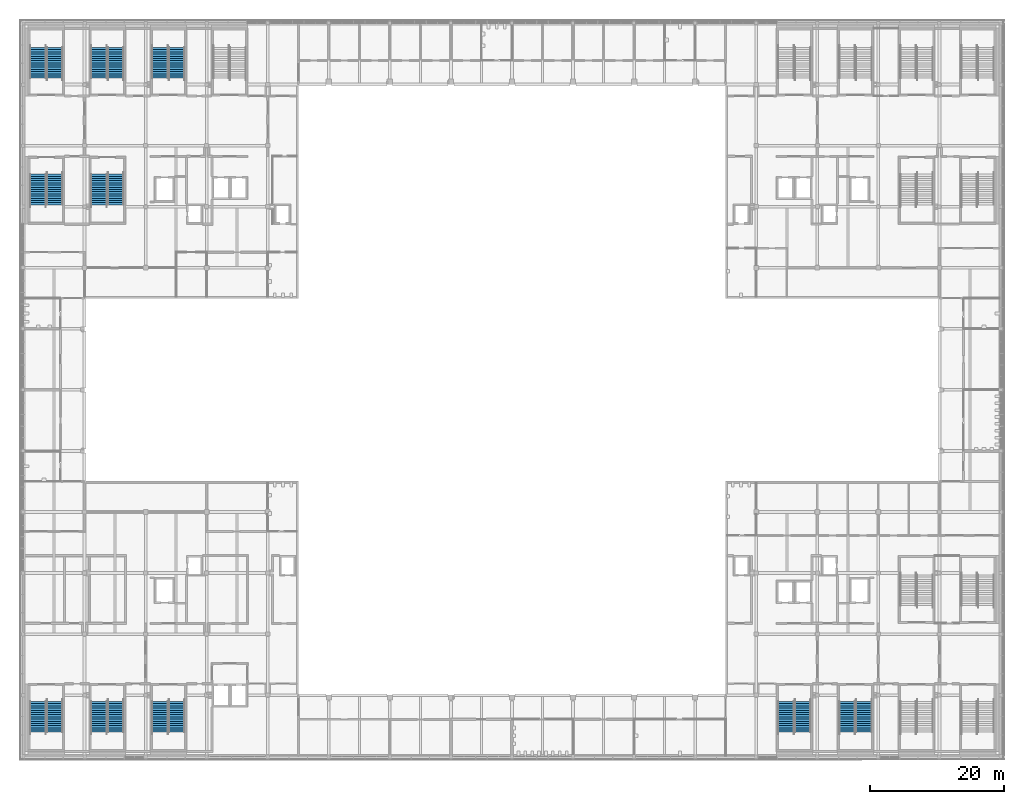
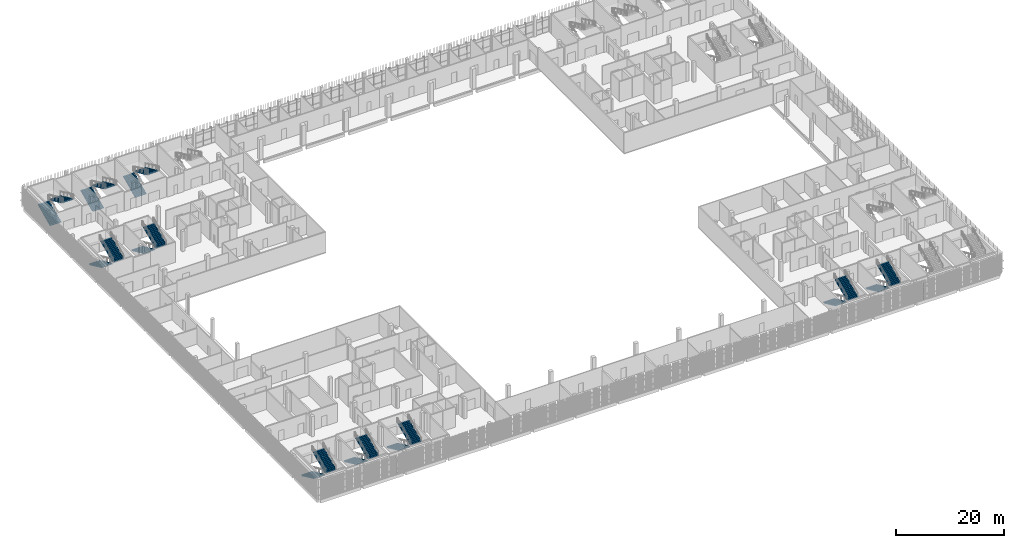
# One storey, part 83 of 124: 20 stair flights, 10 elements without a shape of their own.
"""IFC4 building model written with IfcOpenShell, lengths in metres."""

import ifcopenshell
import ifcopenshell.guid

model = None  # the IFC model being written
_history = None  # IfcOwnerHistory: only IFC2X3 demands one
_inside = {}  # id of a spatial element -> (the spatial element, [elements in it])
_under = {}  # id of a project, library or spatial element -> (it, [spatial elements below it])
_declared = {}  # id of a project -> (the project, [libraries it declares])
_typed = {}  # id of a type object -> (the type object, [elements of that type])
_made_of = {}  # id of a material, layer set ... -> (it, [elements and type objects made of it])


def new_model(schema):
    """Start an empty IFC model of exactly this schema.

    Asked for "IFC4X3", IfcOpenShell would pick the latest addendum, in which some entities
    have other attributes; the version numbers below select the first issue.
    IFC2X3 requires an IfcOwnerHistory on every rooted entity: one is made here for all.
    """
    global model, _history
    if schema == "IFC4X3":
        model = ifcopenshell.file(schema_version=(4, 3, 0, 0))
    else:
        model = ifcopenshell.file(schema=schema)
    _inside.clear()
    _under.clear()
    _declared.clear()
    _typed.clear()
    _made_of.clear()
    _history = None
    if model.schema == "IFC2X3":
        org = make("IfcOrganization", Name="unknown")
        user = make(
            "IfcPersonAndOrganization",
            ThePerson=make("IfcPerson", FamilyName="unknown"),
            TheOrganization=org,
        )
        app = make(
            "IfcApplication",
            ApplicationDeveloper=org,
            Version="unknown",
            ApplicationFullName="unknown",
            ApplicationIdentifier="unknown",
        )
        _history = make(
            "IfcOwnerHistory",
            OwningUser=user,
            OwningApplication=app,
            ChangeAction="ADDED",
            CreationDate=0,
        )
    return model


def make(cls, **values):
    """One entity of the class cls with the attributes given. An attribute that is None is left unset."""
    return model.create_entity(
        cls, **{name: value for name, value in values.items() if value is not None}
    )


def rooted(cls, **values):
    """An entity with a GlobalId (a new one), such as an element, a storey or a relation."""
    return make(cls, GlobalId=ifcopenshell.guid.new(), OwnerHistory=_history, **values)


def si_unit(unit_type, name, prefix=None):
    """IfcSIUnit, for example si_unit("LENGTHUNIT", "METRE", prefix="MILLI")."""
    return make("IfcSIUnit", UnitType=unit_type, Prefix=prefix, Name=name)


def assignment(units):
    """IfcUnitAssignment: the units of a project."""
    return None if units is None else make("IfcUnitAssignment", Units=units)


def point(xyz):
    """IfcCartesianPoint."""
    return None if xyz is None else make("IfcCartesianPoint", Coordinates=xyz)


def direction(xyz):
    """IfcDirection."""
    return None if xyz is None else make("IfcDirection", DirectionRatios=xyz)


def frame(location, z_axis=None, x_axis=None):
    """IfcAxis2Placement3D, a coordinate frame: its origin and axes. An axis left out is left unset."""
    return make(
        "IfcAxis2Placement3D",
        Location=point(location),
        Axis=direction(z_axis),
        RefDirection=direction(x_axis),
    )


def origin():
    """The frame at (0, 0, 0) with its axes left unset."""
    return frame((0.0, 0.0, 0.0))


def place(relative_to, where):
    """IfcLocalPlacement: puts the frame where relative to a parent placement (None: the world)."""
    return make(
        "IfcLocalPlacement", PlacementRelTo=relative_to, RelativePlacement=where
    )


def context(
    kind, dimensions, precision=None, world=None, true_north=None, identifier=None
):
    """IfcGeometricRepresentationContext, for example the 3D "Model" context."""
    return make(
        "IfcGeometricRepresentationContext",
        ContextIdentifier=identifier,
        ContextType=kind,
        CoordinateSpaceDimension=dimensions,
        Precision=precision,
        WorldCoordinateSystem=world,
        TrueNorth=true_north,
    )


def subcontext(parent, identifier, kind, view, scale=None):
    """IfcGeometricRepresentationSubContext, for example "Body" below "Model"."""
    return make(
        "IfcGeometricRepresentationSubContext",
        ContextIdentifier=identifier,
        ContextType=kind,
        ParentContext=parent,
        TargetScale=scale,
        TargetView=view,
    )


def project(units=None, contexts=None):
    """IfcProject with its units and contexts."""
    return rooted(
        "IfcProject",
        Name="project",
        RepresentationContexts=contexts,
        UnitsInContext=assignment(units),
    )


def spatial(cls, under=None, at=None, **own):
    """A site, building, storey or space (cls), placed at a placement, below another one or the project."""
    s = rooted(cls, ObjectPlacement=at, **own)
    if under is not None:
        _under.setdefault(under.id(), (under, []))[1].append(s)
    return s


def polyline(points):
    """IfcPolyline through the points."""
    return make("IfcPolyline", Points=[point(p) for p in points])


def outline(outer, holes=None, kind="AREA"):
    """IfcArbitraryClosedProfileDef: a profile drawn as a closed curve; with holes, ...WithVoids."""
    if holes is None:
        return make("IfcArbitraryClosedProfileDef", ProfileType=kind, OuterCurve=outer)
    return make(
        "IfcArbitraryProfileDefWithVoids",
        ProfileType=kind,
        OuterCurve=outer,
        InnerCurves=holes,
    )


def extrude(swept, where, along, depth):
    """IfcExtrudedAreaSolid: the profile swept, set in the frame where, extruded along a direction by depth."""
    return make(
        "IfcExtrudedAreaSolid",
        SweptArea=swept,
        Position=where,
        ExtrudedDirection=direction(along),
        Depth=depth,
    )


def shape(context_of_items, identifier, shape_type, items):
    """IfcShapeRepresentation: the items that make up one representation, for example the "Body"."""
    return make(
        "IfcShapeRepresentation",
        ContextOfItems=context_of_items,
        RepresentationIdentifier=identifier,
        RepresentationType=shape_type,
        Items=items,
    )


def material(Name=None, Category=None):
    """IfcMaterial."""
    return make("IfcMaterial", Name=Name, Category=Category)


def made_of(thing, what):
    """Note that an element or type object is made of a material, layer set ...; save() writes the relation."""
    if what is not None:
        _made_of.setdefault(what.id(), (what, []))[1].append(thing)
    return thing


def type_object(cls, material=None, **own):
    """A type object (cls), such as IfcWallType, which elements share."""
    return made_of(rooted(cls, **own), material)


def element(
    cls,
    number,
    at=None,
    inside=None,
    cuts=None,
    type_object=None,
    material=None,
    context=None,
    identifier="Body",
    shape_type=None,
    held_by="IfcProductDefinitionShape",
    body=None,
    shapes=None,
    **own,
):
    """One element of the class cls, such as IfcWall. Its Tag is "e" and its number.

    at: its placement. inside: the storey or other place that contains it. cuts: it is an
    opening in that element (IfcRelVoidsElement). A single representation is given by context,
    identifier, shape_type and body (its items); several are given by shapes. held_by: the class
    of the entity that holds the representations. save() writes the other relations.
    """
    e = rooted(cls, Tag="e%d" % number, ObjectPlacement=at, **own)
    if body is not None:
        shapes = [shape(context, identifier, shape_type, body)]
    if shapes is not None:
        e.Representation = make(held_by, Representations=shapes)
    if inside is not None:
        _inside.setdefault(inside.id(), (inside, []))[1].append(e)
    if cuts is not None:
        rooted(
            "IfcRelVoidsElement", RelatingBuildingElement=cuts, RelatedOpeningElement=e
        )
    if type_object is not None:
        _typed.setdefault(type_object.id(), (type_object, []))[1].append(e)
    return made_of(e, material)


def aggregate(whole, parts):
    """IfcRelAggregates: a whole, such as a stair, and the parts it consists of."""
    return rooted("IfcRelAggregates", RelatingObject=whole, RelatedObjects=parts)


def save(model, path):
    """Write the relations noted so far, then the file.

    IfcRelAggregates (storeys below a building ...), IfcRelContainedInSpatialStructure (elements
    in a storey), IfcRelDefinesByType, IfcRelAssociatesMaterial and IfcRelDeclares: one each for
    every whole, place, type object, material and project.
    """
    for whole, parts in _under.values():
        aggregate(whole, parts)
    for where, things in _inside.values():
        rooted(
            "IfcRelContainedInSpatialStructure",
            RelatedElements=things,
            RelatingStructure=where,
        )
    for kind, things in _typed.values():
        rooted("IfcRelDefinesByType", RelatedObjects=things, RelatingType=kind)
    for what, things in _made_of.values():
        rooted("IfcRelAssociatesMaterial", RelatedObjects=things, RelatingMaterial=what)
    for by, libraries in _declared.values():
        rooted("IfcRelDeclares", RelatingContext=by, RelatedDefinitions=libraries)
    model.write(path)


model = new_model("IFC4")

# Units and contexts
model_context = context("Model", 3, precision=1e-05, world=origin(), true_north=direction((0.0, 1.0)))
body_context = subcontext(model_context, "Body", "Model", "MODEL_VIEW")
ifc_project = project(units=[si_unit("LENGTHUNIT", "METRE"), si_unit("AREAUNIT", "SQUARE_METRE"), si_unit("VOLUMEUNIT", "CUBIC_METRE"), si_unit("PLANEANGLEUNIT", "RADIAN"), si_unit("MASSUNIT", "GRAM", prefix="KILO")], contexts=[model_context])

# Site, building, storey
site_placement = place(None, origin())
site = spatial("IfcSite", under=ifc_project, at=site_placement, CompositionType="ELEMENT")
building_placement = place(site_placement, origin())
building = spatial("IfcBuilding", under=site, at=building_placement, Name="Shirokan Park Arena", CompositionType="ELEMENT")
storey_placement = place(building_placement, frame((0.0, 0.0, 20.02001953125)))
storey = spatial("IfcBuildingStorey", under=building, at=storey_placement, Name="L04", CompositionType="ELEMENT", Elevation=20.02001953125)

# Stair, stair flights
ifc_material = material(Name="Concrete C30 precast", Category="concrete")
stair_type = type_object("IfcStairType", Name="Stair 30 risers 152 x 327 2400 wide", PredefinedType="TWO_STRAIGHT_RUN_STAIR", material=ifc_material)
stair_1_placement = place(storey_placement, origin())
stair_1 = element("IfcStair", 1, at=stair_1_placement, inside=storey, type_object=stair_type, Name="Exit Stair 1.A L04 to L05", PredefinedType="TWO_STRAIGHT_RUN_STAIR")
stair_flight_type = type_object("IfcStairFlightType", Name="Stair flight 15 risers 152 x 327 2400 wide", PredefinedType="STRAIGHT", material=ifc_material)
stair_flight_1_placement = place(storey_placement, frame((2.14990234375, 8.14990234375, 0.0), z_axis=(0.0, 0.0, 1.0), x_axis=(0.0, -1.0, 0.0)))
stair_flight_1 = element("IfcStairFlight", 2, at=stair_flight_1_placement, type_object=stair_flight_type, Name="ST01.5 flight 1", NumberOfRisers=15, NumberOfTreads=14, PredefinedType="STRAIGHT", RiserHeight=0.151666667, TreadLength=0.3267, context=body_context, shape_type="SweptSolid", body=[
    extrude(outline(polyline([(0.0, 0.0), (0.0, 0.151611328125), (0.32666015625, 0.151611328125), (0.32666015625, 0.30322265625), (0.6533203125, 0.30322265625), (0.6533203125, 0.455078125), (0.97998046875, 0.455078125), (0.97998046875, 0.606689453125), (1.306884765625, 0.606689453125), (1.306884765625, 0.75830078125), (1.633544921875, 0.75830078125), (1.633544921875, 0.909912109375), (1.960205078125, 0.909912109375), (1.960205078125, 1.061767578125), (2.286865234375, 1.061767578125), (2.286865234375, 1.21337890625), (2.613525390625, 1.21337890625), (2.613525390625, 1.364990234375), (2.940185546875, 1.364990234375), (2.940185546875, 1.5166015625), (3.26708984375, 1.5166015625), (3.26708984375, 1.668212890625), (3.59375, 1.668212890625), (3.59375, 1.820068359375), (3.92041015625, 1.820068359375), (3.92041015625, 1.9716796875), (4.2470703125, 1.9716796875), (4.2470703125, 2.123291015625), (4.57373046875, 2.123291015625), (4.57373046875, 2.27490234375), (4.57373046875, 1.9580078125), (0.35595703125, 0.0), (0.0, 0.0)])), frame((0.0, 1.199951171875, 0.0), z_axis=(0.0, -1.0, 0.0), x_axis=(1.0, 0.0, 0.0)), (0.0, 0.0, 1.0), 2.39990234375),
])
stair_flight_2_placement = place(storey_placement, frame((4.64990234375, 3.576171875, 2.27490234375), z_axis=(0.0, 0.0, 1.0), x_axis=(0.0, 1.0, 0.0)))
stair_flight_2 = element("IfcStairFlight", 3, at=stair_flight_2_placement, type_object=stair_flight_type, Name="ST01.5 flight 2", NumberOfRisers=15, NumberOfTreads=14, PredefinedType="STRAIGHT", RiserHeight=0.151666667, TreadLength=0.3267, context=body_context, shape_type="SweptSolid", body=[
    extrude(outline(polyline([(0.0, 0.0), (0.0, 0.151611328125), (0.32666015625, 0.151611328125), (0.32666015625, 0.30322265625), (0.6533203125, 0.30322265625), (0.6533203125, 0.455078125), (0.97998046875, 0.455078125), (0.97998046875, 0.606689453125), (1.306884765625, 0.606689453125), (1.306884765625, 0.75830078125), (1.633544921875, 0.75830078125), (1.633544921875, 0.909912109375), (1.960205078125, 0.909912109375), (1.960205078125, 1.061767578125), (2.286865234375, 1.061767578125), (2.286865234375, 1.21337890625), (2.613525390625, 1.21337890625), (2.613525390625, 1.364990234375), (2.940185546875, 1.364990234375), (2.940185546875, 1.5166015625), (3.26708984375, 1.5166015625), (3.26708984375, 1.668212890625), (3.59375, 1.668212890625), (3.59375, 1.820068359375), (3.92041015625, 1.820068359375), (3.92041015625, 1.9716796875), (4.2470703125, 1.9716796875), (4.2470703125, 2.123291015625), (4.57373046875, 2.123291015625), (4.57373046875, 2.27490234375), (4.57373046875, 1.9580078125), (0.35595703125, 0.0), (0.0, 0.0)])), frame((0.0, 1.199951171875, 0.0), z_axis=(0.0, -1.0, 0.0), x_axis=(1.0, 0.0, 0.0)), (0.0, 0.0, 1.0), 2.39990234375),
])
aggregate(stair_1, [stair_flight_1, stair_flight_2])

stair_2_placement = place(storey_placement, origin())
stair_2 = element("IfcStair", 4, at=stair_2_placement, inside=storey, type_object=stair_type, Name="Exit Stair 1.B L04 to L05", PredefinedType="TWO_STRAIGHT_RUN_STAIR")
stair_flight_3_placement = place(storey_placement, frame((11.25, 8.14990234375, 0.0), z_axis=(0.0, 0.0, 1.0), x_axis=(0.0, -1.0, 0.0)))
stair_flight_3 = element("IfcStairFlight", 5, at=stair_flight_3_placement, type_object=stair_flight_type, Name="ST02.5 flight 1", NumberOfRisers=15, NumberOfTreads=14, PredefinedType="STRAIGHT", RiserHeight=0.151666667, TreadLength=0.3267, context=body_context, shape_type="SweptSolid", body=[
    extrude(outline(polyline([(0.0, 0.0), (0.0, 0.151611328125), (0.32666015625, 0.151611328125), (0.32666015625, 0.30322265625), (0.6533203125, 0.30322265625), (0.6533203125, 0.455078125), (0.97998046875, 0.455078125), (0.97998046875, 0.606689453125), (1.306884765625, 0.606689453125), (1.306884765625, 0.75830078125), (1.633544921875, 0.75830078125), (1.633544921875, 0.909912109375), (1.960205078125, 0.909912109375), (1.960205078125, 1.061767578125), (2.286865234375, 1.061767578125), (2.286865234375, 1.21337890625), (2.613525390625, 1.21337890625), (2.613525390625, 1.364990234375), (2.940185546875, 1.364990234375), (2.940185546875, 1.5166015625), (3.26708984375, 1.5166015625), (3.26708984375, 1.668212890625), (3.59375, 1.668212890625), (3.59375, 1.820068359375), (3.92041015625, 1.820068359375), (3.92041015625, 1.9716796875), (4.2470703125, 1.9716796875), (4.2470703125, 2.123291015625), (4.57373046875, 2.123291015625), (4.57373046875, 2.27490234375), (4.57373046875, 1.9580078125), (0.35595703125, 0.0), (0.0, 0.0)])), frame((0.0, 1.199951171875, 0.0), z_axis=(0.0, -1.0, 0.0), x_axis=(1.0, 0.0, 0.0)), (0.0, 0.0, 1.0), 2.39990234375),
])
stair_flight_4_placement = place(storey_placement, frame((13.75, 3.576171875, 2.27490234375), z_axis=(0.0, 0.0, 1.0), x_axis=(0.0, 1.0, 0.0)))
stair_flight_4 = element("IfcStairFlight", 6, at=stair_flight_4_placement, type_object=stair_flight_type, Name="ST02.5 flight 2", NumberOfRisers=15, NumberOfTreads=14, PredefinedType="STRAIGHT", RiserHeight=0.151666667, TreadLength=0.3267, context=body_context, shape_type="SweptSolid", body=[
    extrude(outline(polyline([(0.0, 0.0), (0.0, 0.151611328125), (0.32666015625, 0.151611328125), (0.32666015625, 0.30322265625), (0.6533203125, 0.30322265625), (0.6533203125, 0.455078125), (0.97998046875, 0.455078125), (0.97998046875, 0.606689453125), (1.306884765625, 0.606689453125), (1.306884765625, 0.75830078125), (1.633544921875, 0.75830078125), (1.633544921875, 0.909912109375), (1.960205078125, 0.909912109375), (1.960205078125, 1.061767578125), (2.286865234375, 1.061767578125), (2.286865234375, 1.21337890625), (2.613525390625, 1.21337890625), (2.613525390625, 1.364990234375), (2.940185546875, 1.364990234375), (2.940185546875, 1.5166015625), (3.26708984375, 1.5166015625), (3.26708984375, 1.668212890625), (3.59375, 1.668212890625), (3.59375, 1.820068359375), (3.92041015625, 1.820068359375), (3.92041015625, 1.9716796875), (4.2470703125, 1.9716796875), (4.2470703125, 2.123291015625), (4.57373046875, 2.123291015625), (4.57373046875, 2.27490234375), (4.57373046875, 1.9580078125), (0.35595703125, 0.0), (0.0, 0.0)])), frame((0.0, 1.199951171875, 0.0), z_axis=(0.0, -1.0, 0.0), x_axis=(1.0, 0.0, 0.0)), (0.0, 0.0, 1.0), 2.39990234375),
])
aggregate(stair_2, [stair_flight_3, stair_flight_4])

stair_3_placement = place(storey_placement, origin())
stair_3 = element("IfcStair", 7, at=stair_3_placement, inside=storey, type_object=stair_type, Name="Exit Stair 1.C L04 to L05", PredefinedType="TWO_STRAIGHT_RUN_STAIR")
stair_flight_5_placement = place(storey_placement, frame((20.35009765625, 8.14990234375, 0.0), z_axis=(0.0, 0.0, 1.0), x_axis=(0.0, -1.0, 0.0)))
stair_flight_5 = element("IfcStairFlight", 8, at=stair_flight_5_placement, type_object=stair_flight_type, Name="ST03.5 flight 1", NumberOfRisers=15, NumberOfTreads=14, PredefinedType="STRAIGHT", RiserHeight=0.151666667, TreadLength=0.3267, context=body_context, shape_type="SweptSolid", body=[
    extrude(outline(polyline([(0.0, 0.0), (0.0, 0.151611328125), (0.32666015625, 0.151611328125), (0.32666015625, 0.30322265625), (0.6533203125, 0.30322265625), (0.6533203125, 0.455078125), (0.97998046875, 0.455078125), (0.97998046875, 0.606689453125), (1.306884765625, 0.606689453125), (1.306884765625, 0.75830078125), (1.633544921875, 0.75830078125), (1.633544921875, 0.909912109375), (1.960205078125, 0.909912109375), (1.960205078125, 1.061767578125), (2.286865234375, 1.061767578125), (2.286865234375, 1.21337890625), (2.613525390625, 1.21337890625), (2.613525390625, 1.364990234375), (2.940185546875, 1.364990234375), (2.940185546875, 1.5166015625), (3.26708984375, 1.5166015625), (3.26708984375, 1.668212890625), (3.59375, 1.668212890625), (3.59375, 1.820068359375), (3.92041015625, 1.820068359375), (3.92041015625, 1.9716796875), (4.2470703125, 1.9716796875), (4.2470703125, 2.123291015625), (4.57373046875, 2.123291015625), (4.57373046875, 2.27490234375), (4.57373046875, 1.9580078125), (0.35595703125, 0.0), (0.0, 0.0)])), frame((0.0, 1.199951171875, 0.0), z_axis=(0.0, -1.0, 0.0), x_axis=(1.0, 0.0, 0.0)), (0.0, 0.0, 1.0), 2.39990234375),
])
stair_flight_6_placement = place(storey_placement, frame((22.85009765625, 3.576171875, 2.27490234375), z_axis=(0.0, 0.0, 1.0), x_axis=(0.0, 1.0, 0.0)))
stair_flight_6 = element("IfcStairFlight", 9, at=stair_flight_6_placement, type_object=stair_flight_type, Name="ST03.5 flight 2", NumberOfRisers=15, NumberOfTreads=14, PredefinedType="STRAIGHT", RiserHeight=0.151666667, TreadLength=0.3267, context=body_context, shape_type="SweptSolid", body=[
    extrude(outline(polyline([(0.0, 0.0), (0.0, 0.151611328125), (0.32666015625, 0.151611328125), (0.32666015625, 0.30322265625), (0.6533203125, 0.30322265625), (0.6533203125, 0.455078125), (0.97998046875, 0.455078125), (0.97998046875, 0.606689453125), (1.306884765625, 0.606689453125), (1.306884765625, 0.75830078125), (1.633544921875, 0.75830078125), (1.633544921875, 0.909912109375), (1.960205078125, 0.909912109375), (1.960205078125, 1.061767578125), (2.286865234375, 1.061767578125), (2.286865234375, 1.21337890625), (2.613525390625, 1.21337890625), (2.613525390625, 1.364990234375), (2.940185546875, 1.364990234375), (2.940185546875, 1.5166015625), (3.26708984375, 1.5166015625), (3.26708984375, 1.668212890625), (3.59375, 1.668212890625), (3.59375, 1.820068359375), (3.92041015625, 1.820068359375), (3.92041015625, 1.9716796875), (4.2470703125, 1.9716796875), (4.2470703125, 2.123291015625), (4.57373046875, 2.123291015625), (4.57373046875, 2.27490234375), (4.57373046875, 1.9580078125), (0.35595703125, 0.0), (0.0, 0.0)])), frame((0.0, 1.199951171875, 0.0), z_axis=(0.0, -1.0, 0.0), x_axis=(1.0, 0.0, 0.0)), (0.0, 0.0, 1.0), 2.39990234375),
])
aggregate(stair_3, [stair_flight_5, stair_flight_6])

stair_4_placement = place(storey_placement, origin())
stair_4 = element("IfcStair", 10, at=stair_4_placement, inside=storey, type_object=stair_type, Name="Exit Stair 2.C L04 to L05", PredefinedType="TWO_STRAIGHT_RUN_STAIR")
stair_flight_7_placement = place(storey_placement, frame((122.75, 8.14990234375, 0.0), z_axis=(0.0, 0.0, 1.0), x_axis=(0.0, -1.0, 0.0)))
stair_flight_7 = element("IfcStairFlight", 11, at=stair_flight_7_placement, type_object=stair_flight_type, Name="ST06.5 flight 1", NumberOfRisers=15, NumberOfTreads=14, PredefinedType="STRAIGHT", RiserHeight=0.151666667, TreadLength=0.3267, context=body_context, shape_type="SweptSolid", body=[
    extrude(outline(polyline([(0.0, 0.0), (0.0, 0.151611328125), (0.32666015625, 0.151611328125), (0.32666015625, 0.30322265625), (0.6533203125, 0.30322265625), (0.6533203125, 0.455078125), (0.97998046875, 0.455078125), (0.97998046875, 0.606689453125), (1.306884765625, 0.606689453125), (1.306884765625, 0.75830078125), (1.633544921875, 0.75830078125), (1.633544921875, 0.909912109375), (1.960205078125, 0.909912109375), (1.960205078125, 1.061767578125), (2.286865234375, 1.061767578125), (2.286865234375, 1.21337890625), (2.613525390625, 1.21337890625), (2.613525390625, 1.364990234375), (2.940185546875, 1.364990234375), (2.940185546875, 1.5166015625), (3.26708984375, 1.5166015625), (3.26708984375, 1.668212890625), (3.59375, 1.668212890625), (3.59375, 1.820068359375), (3.92041015625, 1.820068359375), (3.92041015625, 1.9716796875), (4.2470703125, 1.9716796875), (4.2470703125, 2.123291015625), (4.57373046875, 2.123291015625), (4.57373046875, 2.27490234375), (4.57373046875, 1.9580078125), (0.35595703125, 0.0), (0.0, 0.0)])), frame((0.0, 1.199951171875, 0.0), z_axis=(0.0, -1.0, 0.0), x_axis=(1.0, 0.0, 0.0)), (0.0, 0.0, 1.0), 2.39990234375),
])
stair_flight_8_placement = place(storey_placement, frame((125.25, 3.576171875, 2.27490234375), z_axis=(0.0, 0.0, 1.0), x_axis=(0.0, 1.0, 0.0)))
stair_flight_8 = element("IfcStairFlight", 12, at=stair_flight_8_placement, type_object=stair_flight_type, Name="ST06.5 flight 2", NumberOfRisers=15, NumberOfTreads=14, PredefinedType="STRAIGHT", RiserHeight=0.151666667, TreadLength=0.3267, context=body_context, shape_type="SweptSolid", body=[
    extrude(outline(polyline([(0.0, 0.0), (0.0, 0.151611328125), (0.32666015625, 0.151611328125), (0.32666015625, 0.30322265625), (0.6533203125, 0.30322265625), (0.6533203125, 0.455078125), (0.97998046875, 0.455078125), (0.97998046875, 0.606689453125), (1.306884765625, 0.606689453125), (1.306884765625, 0.75830078125), (1.633544921875, 0.75830078125), (1.633544921875, 0.909912109375), (1.960205078125, 0.909912109375), (1.960205078125, 1.061767578125), (2.286865234375, 1.061767578125), (2.286865234375, 1.21337890625), (2.613525390625, 1.21337890625), (2.613525390625, 1.364990234375), (2.940185546875, 1.364990234375), (2.940185546875, 1.5166015625), (3.26708984375, 1.5166015625), (3.26708984375, 1.668212890625), (3.59375, 1.668212890625), (3.59375, 1.820068359375), (3.92041015625, 1.820068359375), (3.92041015625, 1.9716796875), (4.2470703125, 1.9716796875), (4.2470703125, 2.123291015625), (4.57373046875, 2.123291015625), (4.57373046875, 2.27490234375), (4.57373046875, 1.9580078125), (0.35595703125, 0.0), (0.0, 0.0)])), frame((0.0, 1.199951171875, 0.0), z_axis=(0.0, -1.0, 0.0), x_axis=(1.0, 0.0, 0.0)), (0.0, 0.0, 1.0), 2.39990234375),
])
aggregate(stair_4, [stair_flight_7, stair_flight_8])

stair_5_placement = place(storey_placement, origin())
stair_5 = element("IfcStair", 13, at=stair_5_placement, inside=storey, type_object=stair_type, Name="Exit Stair 2.D L04 to L05", PredefinedType="TWO_STRAIGHT_RUN_STAIR")
stair_flight_9_placement = place(storey_placement, frame((113.64990234375, 8.14990234375, 0.0), z_axis=(0.0, 0.0, 1.0), x_axis=(0.0, -1.0, 0.0)))
stair_flight_9 = element("IfcStairFlight", 14, at=stair_flight_9_placement, type_object=stair_flight_type, Name="ST07.5 flight 1", NumberOfRisers=15, NumberOfTreads=14, PredefinedType="STRAIGHT", RiserHeight=0.151666667, TreadLength=0.3267, context=body_context, shape_type="SweptSolid", body=[
    extrude(outline(polyline([(0.0, 0.0), (0.0, 0.151611328125), (0.32666015625, 0.151611328125), (0.32666015625, 0.30322265625), (0.6533203125, 0.30322265625), (0.6533203125, 0.455078125), (0.97998046875, 0.455078125), (0.97998046875, 0.606689453125), (1.306884765625, 0.606689453125), (1.306884765625, 0.75830078125), (1.633544921875, 0.75830078125), (1.633544921875, 0.909912109375), (1.960205078125, 0.909912109375), (1.960205078125, 1.061767578125), (2.286865234375, 1.061767578125), (2.286865234375, 1.21337890625), (2.613525390625, 1.21337890625), (2.613525390625, 1.364990234375), (2.940185546875, 1.364990234375), (2.940185546875, 1.5166015625), (3.26708984375, 1.5166015625), (3.26708984375, 1.668212890625), (3.59375, 1.668212890625), (3.59375, 1.820068359375), (3.92041015625, 1.820068359375), (3.92041015625, 1.9716796875), (4.2470703125, 1.9716796875), (4.2470703125, 2.123291015625), (4.57373046875, 2.123291015625), (4.57373046875, 2.27490234375), (4.57373046875, 1.9580078125), (0.35595703125, 0.0), (0.0, 0.0)])), frame((0.0, 1.199951171875, 0.0), z_axis=(0.0, -1.0, 0.0), x_axis=(1.0, 0.0, 0.0)), (0.0, 0.0, 1.0), 2.39990234375),
])
stair_flight_10_placement = place(storey_placement, frame((116.14990234375, 3.576171875, 2.27490234375), z_axis=(0.0, 0.0, 1.0), x_axis=(0.0, 1.0, 0.0)))
stair_flight_10 = element("IfcStairFlight", 15, at=stair_flight_10_placement, type_object=stair_flight_type, Name="ST07.5 flight 2", NumberOfRisers=15, NumberOfTreads=14, PredefinedType="STRAIGHT", RiserHeight=0.151666667, TreadLength=0.3267, context=body_context, shape_type="SweptSolid", body=[
    extrude(outline(polyline([(0.0, 0.0), (0.0, 0.151611328125), (0.32666015625, 0.151611328125), (0.32666015625, 0.30322265625), (0.6533203125, 0.30322265625), (0.6533203125, 0.455078125), (0.97998046875, 0.455078125), (0.97998046875, 0.606689453125), (1.306884765625, 0.606689453125), (1.306884765625, 0.75830078125), (1.633544921875, 0.75830078125), (1.633544921875, 0.909912109375), (1.960205078125, 0.909912109375), (1.960205078125, 1.061767578125), (2.286865234375, 1.061767578125), (2.286865234375, 1.21337890625), (2.613525390625, 1.21337890625), (2.613525390625, 1.364990234375), (2.940185546875, 1.364990234375), (2.940185546875, 1.5166015625), (3.26708984375, 1.5166015625), (3.26708984375, 1.668212890625), (3.59375, 1.668212890625), (3.59375, 1.820068359375), (3.92041015625, 1.820068359375), (3.92041015625, 1.9716796875), (4.2470703125, 1.9716796875), (4.2470703125, 2.123291015625), (4.57373046875, 2.123291015625), (4.57373046875, 2.27490234375), (4.57373046875, 1.9580078125), (0.35595703125, 0.0), (0.0, 0.0)])), frame((0.0, 1.199951171875, 0.0), z_axis=(0.0, -1.0, 0.0), x_axis=(1.0, 0.0, 0.0)), (0.0, 0.0, 1.0), 2.39990234375),
])
aggregate(stair_5, [stair_flight_9, stair_flight_10])

stair_6_placement = place(storey_placement, origin())
stair_6 = element("IfcStair", 16, at=stair_6_placement, inside=storey, type_object=stair_type, Name="Exit Stair 4.A L04 to L05", PredefinedType="TWO_STRAIGHT_RUN_STAIR")
stair_flight_11_placement = place(storey_placement, frame((2.14990234375, 101.050048828125, 0.0), z_axis=(0.0, 0.0, 1.0), x_axis=(0.0, 1.0, 0.0)))
stair_flight_11 = element("IfcStairFlight", 17, at=stair_flight_11_placement, type_object=stair_flight_type, Name="ST10.5 flight 1", NumberOfRisers=15, NumberOfTreads=14, PredefinedType="STRAIGHT", RiserHeight=0.151666667, TreadLength=0.3267, context=body_context, shape_type="SweptSolid", body=[
    extrude(outline(polyline([(0.0, 0.0), (0.0, 0.151611328125), (0.32666015625, 0.151611328125), (0.32666015625, 0.30322265625), (0.6533203125, 0.30322265625), (0.6533203125, 0.455078125), (0.97998046875, 0.455078125), (0.97998046875, 0.606689453125), (1.306884765625, 0.606689453125), (1.306884765625, 0.75830078125), (1.633544921875, 0.75830078125), (1.633544921875, 0.909912109375), (1.960205078125, 0.909912109375), (1.960205078125, 1.061767578125), (2.286865234375, 1.061767578125), (2.286865234375, 1.21337890625), (2.613525390625, 1.21337890625), (2.613525390625, 1.364990234375), (2.940185546875, 1.364990234375), (2.940185546875, 1.5166015625), (3.26708984375, 1.5166015625), (3.26708984375, 1.668212890625), (3.59375, 1.668212890625), (3.59375, 1.820068359375), (3.92041015625, 1.820068359375), (3.92041015625, 1.9716796875), (4.2470703125, 1.9716796875), (4.2470703125, 2.123291015625), (4.57373046875, 2.123291015625), (4.57373046875, 2.27490234375), (4.57373046875, 1.9580078125), (0.35595703125, 0.0), (0.0, 0.0)])), frame((0.0, 1.199951171875, 0.0), z_axis=(0.0, -1.0, 0.0), x_axis=(1.0, 0.0, 0.0)), (0.0, 0.0, 1.0), 2.39990234375),
])
stair_flight_12_placement = place(storey_placement, frame((4.64990234375, 105.623779296875, 2.27490234375), z_axis=(0.0, 0.0, 1.0), x_axis=(0.0, -1.0, 0.0)))
stair_flight_12 = element("IfcStairFlight", 18, at=stair_flight_12_placement, type_object=stair_flight_type, Name="ST10.5 flight 2", NumberOfRisers=15, NumberOfTreads=14, PredefinedType="STRAIGHT", RiserHeight=0.151666667, TreadLength=0.3267, context=body_context, shape_type="SweptSolid", body=[
    extrude(outline(polyline([(0.0, 0.0), (0.0, 0.151611328125), (0.32666015625, 0.151611328125), (0.32666015625, 0.30322265625), (0.6533203125, 0.30322265625), (0.6533203125, 0.455078125), (0.97998046875, 0.455078125), (0.97998046875, 0.606689453125), (1.306884765625, 0.606689453125), (1.306884765625, 0.75830078125), (1.633544921875, 0.75830078125), (1.633544921875, 0.909912109375), (1.960205078125, 0.909912109375), (1.960205078125, 1.061767578125), (2.286865234375, 1.061767578125), (2.286865234375, 1.21337890625), (2.613525390625, 1.21337890625), (2.613525390625, 1.364990234375), (2.940185546875, 1.364990234375), (2.940185546875, 1.5166015625), (3.26708984375, 1.5166015625), (3.26708984375, 1.668212890625), (3.59375, 1.668212890625), (3.59375, 1.820068359375), (3.92041015625, 1.820068359375), (3.92041015625, 1.9716796875), (4.2470703125, 1.9716796875), (4.2470703125, 2.123291015625), (4.57373046875, 2.123291015625), (4.57373046875, 2.27490234375), (4.57373046875, 1.9580078125), (0.35595703125, 0.0), (0.0, 0.0)])), frame((0.0, 1.199951171875, 0.0), z_axis=(0.0, -1.0, 0.0), x_axis=(1.0, 0.0, 0.0)), (0.0, 0.0, 1.0), 2.39990234375),
])
aggregate(stair_6, [stair_flight_11, stair_flight_12])

stair_7_placement = place(storey_placement, origin())
stair_7 = element("IfcStair", 19, at=stair_7_placement, inside=storey, type_object=stair_type, Name="Exit Stair 4.B L04 to L05", PredefinedType="TWO_STRAIGHT_RUN_STAIR")
stair_flight_13_placement = place(storey_placement, frame((11.25, 101.050048828125, 0.0), z_axis=(0.0, 0.0, 1.0), x_axis=(0.0, 1.0, 0.0)))
stair_flight_13 = element("IfcStairFlight", 20, at=stair_flight_13_placement, type_object=stair_flight_type, Name="ST11.5 flight 1", NumberOfRisers=15, NumberOfTreads=14, PredefinedType="STRAIGHT", RiserHeight=0.151666667, TreadLength=0.3267, context=body_context, shape_type="SweptSolid", body=[
    extrude(outline(polyline([(0.0, 0.0), (0.0, 0.151611328125), (0.32666015625, 0.151611328125), (0.32666015625, 0.30322265625), (0.6533203125, 0.30322265625), (0.6533203125, 0.455078125), (0.97998046875, 0.455078125), (0.97998046875, 0.606689453125), (1.306884765625, 0.606689453125), (1.306884765625, 0.75830078125), (1.633544921875, 0.75830078125), (1.633544921875, 0.909912109375), (1.960205078125, 0.909912109375), (1.960205078125, 1.061767578125), (2.286865234375, 1.061767578125), (2.286865234375, 1.21337890625), (2.613525390625, 1.21337890625), (2.613525390625, 1.364990234375), (2.940185546875, 1.364990234375), (2.940185546875, 1.5166015625), (3.26708984375, 1.5166015625), (3.26708984375, 1.668212890625), (3.59375, 1.668212890625), (3.59375, 1.820068359375), (3.92041015625, 1.820068359375), (3.92041015625, 1.9716796875), (4.2470703125, 1.9716796875), (4.2470703125, 2.123291015625), (4.57373046875, 2.123291015625), (4.57373046875, 2.27490234375), (4.57373046875, 1.9580078125), (0.35595703125, 0.0), (0.0, 0.0)])), frame((0.0, 1.199951171875, 0.0), z_axis=(0.0, -1.0, 0.0), x_axis=(1.0, 0.0, 0.0)), (0.0, 0.0, 1.0), 2.39990234375),
])
stair_flight_14_placement = place(storey_placement, frame((13.75, 105.623779296875, 2.27490234375), z_axis=(0.0, 0.0, 1.0), x_axis=(0.0, -1.0, 0.0)))
stair_flight_14 = element("IfcStairFlight", 21, at=stair_flight_14_placement, type_object=stair_flight_type, Name="ST11.5 flight 2", NumberOfRisers=15, NumberOfTreads=14, PredefinedType="STRAIGHT", RiserHeight=0.151666667, TreadLength=0.3267, context=body_context, shape_type="SweptSolid", body=[
    extrude(outline(polyline([(0.0, 0.0), (0.0, 0.151611328125), (0.32666015625, 0.151611328125), (0.32666015625, 0.30322265625), (0.6533203125, 0.30322265625), (0.6533203125, 0.455078125), (0.97998046875, 0.455078125), (0.97998046875, 0.606689453125), (1.306884765625, 0.606689453125), (1.306884765625, 0.75830078125), (1.633544921875, 0.75830078125), (1.633544921875, 0.909912109375), (1.960205078125, 0.909912109375), (1.960205078125, 1.061767578125), (2.286865234375, 1.061767578125), (2.286865234375, 1.21337890625), (2.613525390625, 1.21337890625), (2.613525390625, 1.364990234375), (2.940185546875, 1.364990234375), (2.940185546875, 1.5166015625), (3.26708984375, 1.5166015625), (3.26708984375, 1.668212890625), (3.59375, 1.668212890625), (3.59375, 1.820068359375), (3.92041015625, 1.820068359375), (3.92041015625, 1.9716796875), (4.2470703125, 1.9716796875), (4.2470703125, 2.123291015625), (4.57373046875, 2.123291015625), (4.57373046875, 2.27490234375), (4.57373046875, 1.9580078125), (0.35595703125, 0.0), (0.0, 0.0)])), frame((0.0, 1.199951171875, 0.0), z_axis=(0.0, -1.0, 0.0), x_axis=(1.0, 0.0, 0.0)), (0.0, 0.0, 1.0), 2.39990234375),
])
aggregate(stair_7, [stair_flight_13, stair_flight_14])

stair_8_placement = place(storey_placement, origin())
stair_8 = element("IfcStair", 22, at=stair_8_placement, inside=storey, type_object=stair_type, Name="Exit Stair 4.C L04 to L05", PredefinedType="TWO_STRAIGHT_RUN_STAIR")
stair_flight_15_placement = place(storey_placement, frame((20.35009765625, 101.050048828125, 0.0), z_axis=(0.0, 0.0, 1.0), x_axis=(0.0, 1.0, 0.0)))
stair_flight_15 = element("IfcStairFlight", 23, at=stair_flight_15_placement, type_object=stair_flight_type, Name="ST12.5 flight 1", NumberOfRisers=15, NumberOfTreads=14, PredefinedType="STRAIGHT", RiserHeight=0.151666667, TreadLength=0.3267, context=body_context, shape_type="SweptSolid", body=[
    extrude(outline(polyline([(0.0, 0.0), (0.0, 0.151611328125), (0.32666015625, 0.151611328125), (0.32666015625, 0.30322265625), (0.6533203125, 0.30322265625), (0.6533203125, 0.455078125), (0.97998046875, 0.455078125), (0.97998046875, 0.606689453125), (1.306884765625, 0.606689453125), (1.306884765625, 0.75830078125), (1.633544921875, 0.75830078125), (1.633544921875, 0.909912109375), (1.960205078125, 0.909912109375), (1.960205078125, 1.061767578125), (2.286865234375, 1.061767578125), (2.286865234375, 1.21337890625), (2.613525390625, 1.21337890625), (2.613525390625, 1.364990234375), (2.940185546875, 1.364990234375), (2.940185546875, 1.5166015625), (3.26708984375, 1.5166015625), (3.26708984375, 1.668212890625), (3.59375, 1.668212890625), (3.59375, 1.820068359375), (3.92041015625, 1.820068359375), (3.92041015625, 1.9716796875), (4.2470703125, 1.9716796875), (4.2470703125, 2.123291015625), (4.57373046875, 2.123291015625), (4.57373046875, 2.27490234375), (4.57373046875, 1.9580078125), (0.35595703125, 0.0), (0.0, 0.0)])), frame((0.0, 1.199951171875, 0.0), z_axis=(0.0, -1.0, 0.0), x_axis=(1.0, 0.0, 0.0)), (0.0, 0.0, 1.0), 2.39990234375),
])
stair_flight_16_placement = place(storey_placement, frame((22.85009765625, 105.623779296875, 2.27490234375), z_axis=(0.0, 0.0, 1.0), x_axis=(0.0, -1.0, 0.0)))
stair_flight_16 = element("IfcStairFlight", 24, at=stair_flight_16_placement, type_object=stair_flight_type, Name="ST12.5 flight 2", NumberOfRisers=15, NumberOfTreads=14, PredefinedType="STRAIGHT", RiserHeight=0.151666667, TreadLength=0.3267, context=body_context, shape_type="SweptSolid", body=[
    extrude(outline(polyline([(0.0, 0.0), (0.0, 0.151611328125), (0.32666015625, 0.151611328125), (0.32666015625, 0.30322265625), (0.6533203125, 0.30322265625), (0.6533203125, 0.455078125), (0.97998046875, 0.455078125), (0.97998046875, 0.606689453125), (1.306884765625, 0.606689453125), (1.306884765625, 0.75830078125), (1.633544921875, 0.75830078125), (1.633544921875, 0.909912109375), (1.960205078125, 0.909912109375), (1.960205078125, 1.061767578125), (2.286865234375, 1.061767578125), (2.286865234375, 1.21337890625), (2.613525390625, 1.21337890625), (2.613525390625, 1.364990234375), (2.940185546875, 1.364990234375), (2.940185546875, 1.5166015625), (3.26708984375, 1.5166015625), (3.26708984375, 1.668212890625), (3.59375, 1.668212890625), (3.59375, 1.820068359375), (3.92041015625, 1.820068359375), (3.92041015625, 1.9716796875), (4.2470703125, 1.9716796875), (4.2470703125, 2.123291015625), (4.57373046875, 2.123291015625), (4.57373046875, 2.27490234375), (4.57373046875, 1.9580078125), (0.35595703125, 0.0), (0.0, 0.0)])), frame((0.0, 1.199951171875, 0.0), z_axis=(0.0, -1.0, 0.0), x_axis=(1.0, 0.0, 0.0)), (0.0, 0.0, 1.0), 2.39990234375),
])
aggregate(stair_8, [stair_flight_15, stair_flight_16])

stair_9_placement = place(storey_placement, origin())
stair_9 = element("IfcStair", 25, at=stair_9_placement, inside=storey, type_object=stair_type, Name="Exit Stair 4.E L04 to L05", PredefinedType="TWO_STRAIGHT_RUN_STAIR")
stair_flight_17_placement = place(storey_placement, frame((2.14990234375, 86.75, 0.0), z_axis=(0.0, 0.0, 1.0), x_axis=(0.0, -1.0, 0.0)))
stair_flight_17 = element("IfcStairFlight", 26, at=stair_flight_17_placement, type_object=stair_flight_type, Name="ST14.5 flight 1", NumberOfRisers=15, NumberOfTreads=14, PredefinedType="STRAIGHT", RiserHeight=0.151666667, TreadLength=0.3267, context=body_context, shape_type="SweptSolid", body=[
    extrude(outline(polyline([(0.0, 0.0), (0.0, 0.151611328125), (0.32666015625, 0.151611328125), (0.32666015625, 0.30322265625), (0.6533203125, 0.30322265625), (0.6533203125, 0.455078125), (0.97998046875, 0.455078125), (0.97998046875, 0.606689453125), (1.306884765625, 0.606689453125), (1.306884765625, 0.75830078125), (1.633544921875, 0.75830078125), (1.633544921875, 0.909912109375), (1.960205078125, 0.909912109375), (1.960205078125, 1.061767578125), (2.286865234375, 1.061767578125), (2.286865234375, 1.21337890625), (2.613525390625, 1.21337890625), (2.613525390625, 1.364990234375), (2.940185546875, 1.364990234375), (2.940185546875, 1.5166015625), (3.26708984375, 1.5166015625), (3.26708984375, 1.668212890625), (3.59375, 1.668212890625), (3.59375, 1.820068359375), (3.92041015625, 1.820068359375), (3.92041015625, 1.9716796875), (4.2470703125, 1.9716796875), (4.2470703125, 2.123291015625), (4.57373046875, 2.123291015625), (4.57373046875, 2.27490234375), (4.57373046875, 1.9580078125), (0.35595703125, 0.0), (0.0, 0.0)])), frame((0.0, 1.199951171875, 0.0), z_axis=(0.0, -1.0, 0.0), x_axis=(1.0, 0.0, 0.0)), (0.0, 0.0, 1.0), 2.39990234375),
])
stair_flight_18_placement = place(storey_placement, frame((4.64990234375, 82.17626953125, 2.27490234375), z_axis=(0.0, 0.0, 1.0), x_axis=(0.0, 1.0, 0.0)))
stair_flight_18 = element("IfcStairFlight", 27, at=stair_flight_18_placement, type_object=stair_flight_type, Name="ST14.5 flight 2", NumberOfRisers=15, NumberOfTreads=14, PredefinedType="STRAIGHT", RiserHeight=0.151666667, TreadLength=0.3267, context=body_context, shape_type="SweptSolid", body=[
    extrude(outline(polyline([(0.0, 0.0), (0.0, 0.151611328125), (0.32666015625, 0.151611328125), (0.32666015625, 0.30322265625), (0.6533203125, 0.30322265625), (0.6533203125, 0.455078125), (0.97998046875, 0.455078125), (0.97998046875, 0.606689453125), (1.306884765625, 0.606689453125), (1.306884765625, 0.75830078125), (1.633544921875, 0.75830078125), (1.633544921875, 0.909912109375), (1.960205078125, 0.909912109375), (1.960205078125, 1.061767578125), (2.286865234375, 1.061767578125), (2.286865234375, 1.21337890625), (2.613525390625, 1.21337890625), (2.613525390625, 1.364990234375), (2.940185546875, 1.364990234375), (2.940185546875, 1.5166015625), (3.26708984375, 1.5166015625), (3.26708984375, 1.668212890625), (3.59375, 1.668212890625), (3.59375, 1.820068359375), (3.92041015625, 1.820068359375), (3.92041015625, 1.9716796875), (4.2470703125, 1.9716796875), (4.2470703125, 2.123291015625), (4.57373046875, 2.123291015625), (4.57373046875, 2.27490234375), (4.57373046875, 1.9580078125), (0.35595703125, 0.0), (0.0, 0.0)])), frame((0.0, 1.199951171875, 0.0), z_axis=(0.0, -1.0, 0.0), x_axis=(1.0, 0.0, 0.0)), (0.0, 0.0, 1.0), 2.39990234375),
])
aggregate(stair_9, [stair_flight_17, stair_flight_18])

stair_10_placement = place(storey_placement, origin())
stair_10 = element("IfcStair", 28, at=stair_10_placement, inside=storey, type_object=stair_type, Name="Exit Stair 4.F L04 to L05", PredefinedType="TWO_STRAIGHT_RUN_STAIR")
stair_flight_19_placement = place(storey_placement, frame((11.25, 86.75, 0.0), z_axis=(0.0, 0.0, 1.0), x_axis=(0.0, -1.0, 0.0)))
stair_flight_19 = element("IfcStairFlight", 29, at=stair_flight_19_placement, type_object=stair_flight_type, Name="ST15.5 flight 1", NumberOfRisers=15, NumberOfTreads=14, PredefinedType="STRAIGHT", RiserHeight=0.151666667, TreadLength=0.3267, context=body_context, shape_type="SweptSolid", body=[
    extrude(outline(polyline([(0.0, 0.0), (0.0, 0.151611328125), (0.32666015625, 0.151611328125), (0.32666015625, 0.30322265625), (0.6533203125, 0.30322265625), (0.6533203125, 0.455078125), (0.97998046875, 0.455078125), (0.97998046875, 0.606689453125), (1.306884765625, 0.606689453125), (1.306884765625, 0.75830078125), (1.633544921875, 0.75830078125), (1.633544921875, 0.909912109375), (1.960205078125, 0.909912109375), (1.960205078125, 1.061767578125), (2.286865234375, 1.061767578125), (2.286865234375, 1.21337890625), (2.613525390625, 1.21337890625), (2.613525390625, 1.364990234375), (2.940185546875, 1.364990234375), (2.940185546875, 1.5166015625), (3.26708984375, 1.5166015625), (3.26708984375, 1.668212890625), (3.59375, 1.668212890625), (3.59375, 1.820068359375), (3.92041015625, 1.820068359375), (3.92041015625, 1.9716796875), (4.2470703125, 1.9716796875), (4.2470703125, 2.123291015625), (4.57373046875, 2.123291015625), (4.57373046875, 2.27490234375), (4.57373046875, 1.9580078125), (0.35595703125, 0.0), (0.0, 0.0)])), frame((0.0, 1.199951171875, 0.0), z_axis=(0.0, -1.0, 0.0), x_axis=(1.0, 0.0, 0.0)), (0.0, 0.0, 1.0), 2.39990234375),
])
stair_flight_20_placement = place(storey_placement, frame((13.75, 82.17626953125, 2.27490234375), z_axis=(0.0, 0.0, 1.0), x_axis=(0.0, 1.0, 0.0)))
stair_flight_20 = element("IfcStairFlight", 30, at=stair_flight_20_placement, type_object=stair_flight_type, Name="ST15.5 flight 2", NumberOfRisers=15, NumberOfTreads=14, PredefinedType="STRAIGHT", RiserHeight=0.151666667, TreadLength=0.3267, context=body_context, shape_type="SweptSolid", body=[
    extrude(outline(polyline([(0.0, 0.0), (0.0, 0.151611328125), (0.32666015625, 0.151611328125), (0.32666015625, 0.30322265625), (0.6533203125, 0.30322265625), (0.6533203125, 0.455078125), (0.97998046875, 0.455078125), (0.97998046875, 0.606689453125), (1.306884765625, 0.606689453125), (1.306884765625, 0.75830078125), (1.633544921875, 0.75830078125), (1.633544921875, 0.909912109375), (1.960205078125, 0.909912109375), (1.960205078125, 1.061767578125), (2.286865234375, 1.061767578125), (2.286865234375, 1.21337890625), (2.613525390625, 1.21337890625), (2.613525390625, 1.364990234375), (2.940185546875, 1.364990234375), (2.940185546875, 1.5166015625), (3.26708984375, 1.5166015625), (3.26708984375, 1.668212890625), (3.59375, 1.668212890625), (3.59375, 1.820068359375), (3.92041015625, 1.820068359375), (3.92041015625, 1.9716796875), (4.2470703125, 1.9716796875), (4.2470703125, 2.123291015625), (4.57373046875, 2.123291015625), (4.57373046875, 2.27490234375), (4.57373046875, 1.9580078125), (0.35595703125, 0.0), (0.0, 0.0)])), frame((0.0, 1.199951171875, 0.0), z_axis=(0.0, -1.0, 0.0), x_axis=(1.0, 0.0, 0.0)), (0.0, 0.0, 1.0), 2.39990234375),
])
aggregate(stair_10, [stair_flight_19, stair_flight_20])

save(model, "model.ifc")
